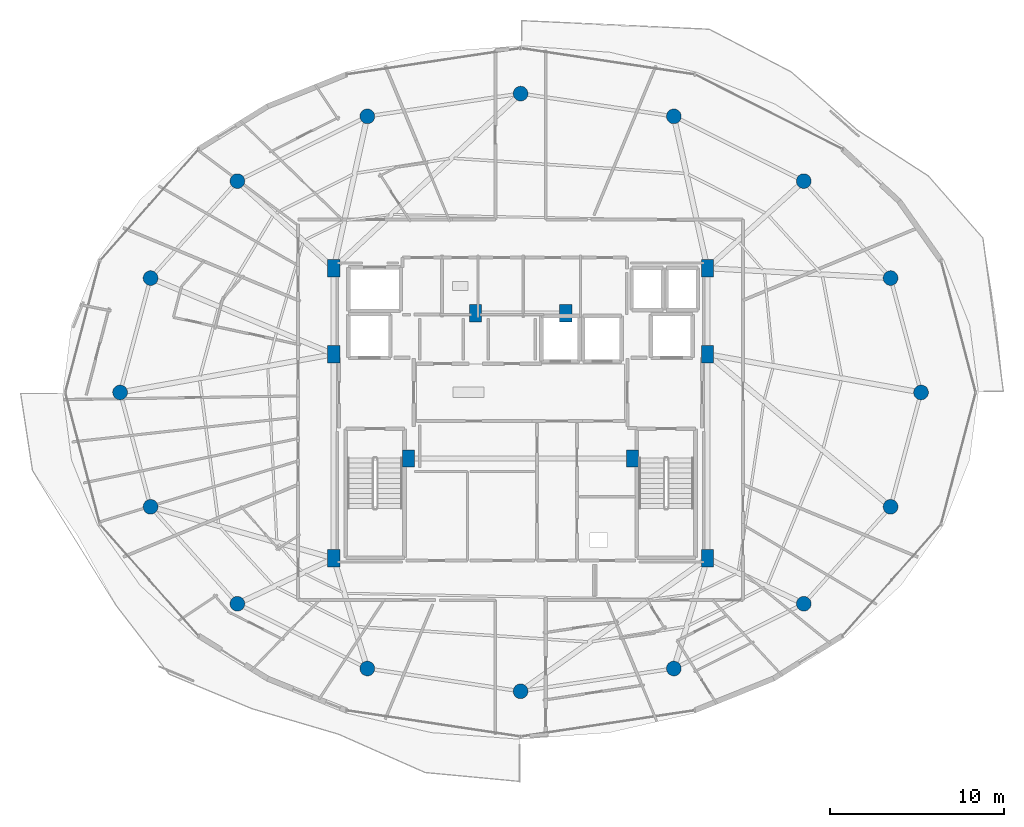
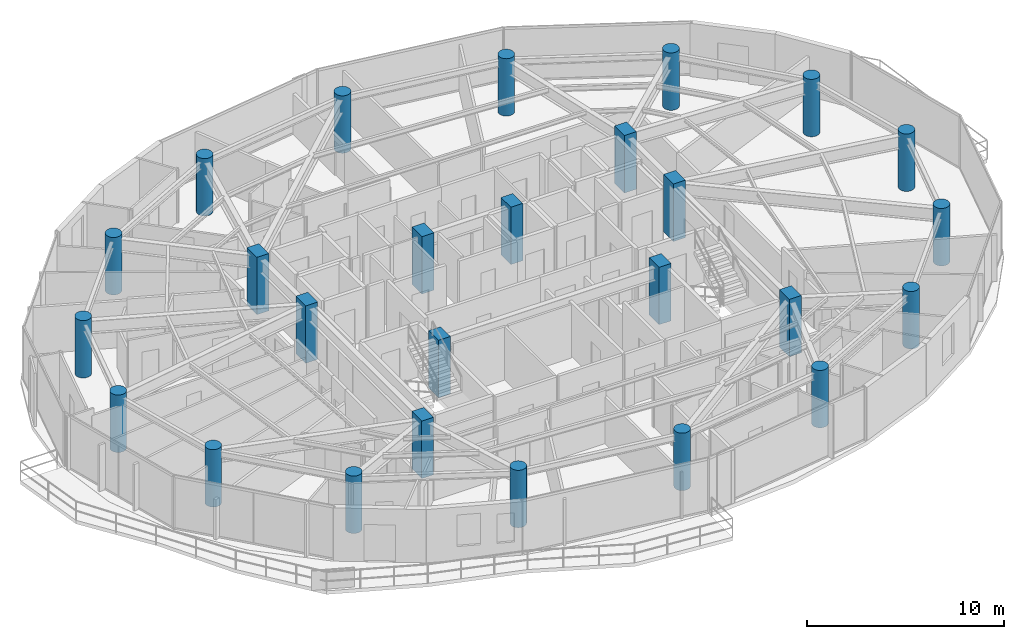
# One storey, part 1 of 31: 26 columns.
"""IFC4 building model written with IfcOpenShell, lengths in metres."""

from ifc_helpers import new_model, si_unit, direction, frame, origin, origin_2d, place, context, subcontext, project, spatial, rectangle, circle, extrude, material, material_profile, profile_set, type_object, element, save


model = new_model("IFC4")

# Units and contexts
model_context = context("Model", 3, precision=1e-05, world=origin(), true_north=direction((0.0, 1.0)))
body_context = subcontext(model_context, "Body", "Model", "MODEL_VIEW")
ifc_project = project(units=[si_unit("LENGTHUNIT", "METRE"), si_unit("AREAUNIT", "SQUARE_METRE"), si_unit("VOLUMEUNIT", "CUBIC_METRE"), si_unit("PLANEANGLEUNIT", "RADIAN"), si_unit("MASSUNIT", "GRAM", prefix="KILO")], contexts=[model_context])

# Site, building, storey
site_placement = place(None, origin())
site = spatial("IfcSite", under=ifc_project, at=site_placement, CompositionType="ELEMENT")
building_placement = place(site_placement, origin())
building = spatial("IfcBuilding", under=site, at=building_placement, Name="Vorneva Point Tower", CompositionType="ELEMENT")
storey_placement = place(building_placement, frame((0.0, 0.0, 248.449951171875)))
storey = spatial("IfcBuildingStorey", under=building, at=storey_placement, Name="L67", CompositionType="ELEMENT", Elevation=248.449951171875)

# Columns
ifc_material = material(Name="Concrete B50 (C40/50)", Category="concrete")
ifc_material_profile_1 = material_profile(ifc_material, circle(Radius=0.425048828125, at=origin_2d()), Name="RC-CIRC 850")
ifc_profile_set_1 = profile_set([ifc_material_profile_1], Name="Concrete B50 (C40/50)")
column_type_1 = type_object("IfcColumnType", Name="COL-RC850C", PredefinedType="COLUMN", material=ifc_profile_set_1)
for number, where, z_axis, x_axis, name in (
    (1, (61.050048828125, 26.0, 0.0), (0.0, 0.0, 1.0), (1.0, 0.0, 0.0), "L67 Perimeter Column P01"),
    (2, (59.29541015625, 32.582275390625, 0.0), (0.0, 0.0, 1.0), (0.923879532511, 0.382683432365, 0.0), "L67 Perimeter Column P02"),
    (3, (54.298828125, 38.162109375, 0.0), (0.0, 0.0, 1.0), (0.707106781187, 0.707106781187, 0.0), "L67 Perimeter Column P03"),
    (4, (46.82080078125, 41.890625, 0.0), (0.0, 0.0, 1.0), (0.382683432365, 0.923879532511, 0.0), "L67 Perimeter Column P04"),
    (5, (38.0, 43.199951171875, 0.0), (0.0, 0.0, 1.0), (0.0, 1.0, 0.0), "L67 Perimeter Column P05"),
    (6, (29.17919921875, 41.890625, 0.0), (0.0, 0.0, 1.0), (-0.382683432365, 0.923879532511, 0.0), "L67 Perimeter Column P06"),
    (7, (21.701171875, 38.162109375, 0.0), (0.0, 0.0, 1.0), (-0.707106781187, 0.707106781187, 0.0), "L67 Perimeter Column P07"),
    (8, (16.70458984375, 32.582275390625, 0.0), (0.0, 0.0, 1.0), (-0.923879532511, 0.382683432365, 0.0), "L67 Perimeter Column P08"),
    (9, (14.949951171875, 26.0, 0.0), (0.0, 0.0, 1.0), (-1.0, 0.0, 0.0), "L67 Perimeter Column P09"),
    (10, (16.70458984375, 19.417724609375, 0.0), (0.0, 0.0, 1.0), (-0.923879532511, -0.382683432365, 0.0), "L67 Perimeter Column P10"),
    (11, (21.701171875, 13.837890625, 0.0), (0.0, 0.0, 1.0), (-0.707106781187, -0.707106781187, 0.0), "L67 Perimeter Column P11"),
    (12, (29.17919921875, 10.109375, 0.0), (0.0, 0.0, 1.0), (-0.382683432365, -0.923879532511, 0.0), "L67 Perimeter Column P12"),
    (13, (38.0, 8.800048828125, 0.0), (0.0, 0.0, 1.0), (0.0, -1.0, 0.0), "L67 Perimeter Column P13"),
    (14, (46.82080078125, 10.109375, 0.0), (0.0, 0.0, 1.0), (0.382683432365, -0.923879532511, 0.0), "L67 Perimeter Column P14"),
    (15, (54.298828125, 13.837890625, 0.0), (0.0, 0.0, 1.0), (0.707106781187, -0.707106781187, 0.0), "L67 Perimeter Column P15"),
    (16, (59.29541015625, 19.417724609375, 0.0), (0.0, 0.0, 1.0), (0.923879532511, -0.382683432365, 0.0), "L67 Perimeter Column P16"),
):
    element("IfcColumn", number, at=place(storey_placement, frame(where, z_axis=z_axis, x_axis=x_axis)), inside=storey, type_object=column_type_1, Name=name, PredefinedType="COLUMN", context=body_context, shape_type="SweptSolid", body=[
        extrude(circle(Radius=0.425048828125, at=origin_2d()), origin(), (0.0, 0.0, 1.0), 3.550048828125),
    ])
ifc_material_profile_2 = material_profile(ifc_material, rectangle(XDim=0.699951171875, YDim=1.0, at=origin_2d()), Name="RC-PIL 1000x700")
ifc_profile_set_2 = profile_set([ifc_material_profile_2], Name="Concrete B50 (C40/50)")
column_type_2 = type_object("IfcColumnType", Name="PIL-RC1000x700", PredefinedType="PILASTER", material=ifc_profile_set_2)
for number, where, z_axis, x_axis, name in (
    (17, (27.25, 16.449951171875, 0.0), (0.0, 0.0, 1.0), (1.0, 0.0, 0.0), "L67 Core Pilaster CP1"),
    (18, (27.25, 28.199951171875, 0.0), (0.0, 0.0, 1.0), (1.0, 0.0, 0.0), "L67 Core Pilaster CP2"),
    (19, (27.25, 33.14990234375, 0.0), (0.0, 0.0, 1.0), (1.0, 0.0, 0.0), "L67 Core Pilaster CP3"),
    (20, (31.550048828125, 22.199951171875, 0.0), (0.0, 0.0, 1.0), (1.0, 0.0, 0.0), "L67 Core Pilaster CP4"),
    (21, (48.75, 33.14990234375, 0.0), (0.0, 0.0, 1.0), (1.0, 0.0, 0.0), "L67 Core Pilaster CP5"),
    (22, (48.75, 28.199951171875, 0.0), (0.0, 0.0, 1.0), (1.0, 0.0, 0.0), "L67 Core Pilaster CP6"),
    (23, (48.75, 16.449951171875, 0.0), (0.0, 0.0, 1.0), (1.0, 0.0, 0.0), "L67 Core Pilaster CP7"),
    (24, (44.449951171875, 22.199951171875, 0.0), (0.0, 0.0, 1.0), (1.0, 0.0, 0.0), "L67 Core Pilaster CP8"),
    (25, (35.39990234375, 30.550048828125, 0.0), (0.0, 0.0, 1.0), (1.0, 0.0, 0.0), "L67 Core Pilaster CP9"),
    (26, (40.60009765625, 30.550048828125, 0.0), (0.0, 0.0, 1.0), (1.0, 0.0, 0.0), "L67 Core Pilaster CP10"),
):
    element("IfcColumn", number, at=place(storey_placement, frame(where, z_axis=z_axis, x_axis=x_axis)), inside=storey, type_object=column_type_2, Name=name, PredefinedType="PILASTER", context=body_context, shape_type="SweptSolid", body=[
        extrude(rectangle(XDim=0.699951171875, YDim=1.0, at=origin_2d()), origin(), (0.0, 0.0, 1.0), 3.550048828125),
    ])

save(model, "model.ifc")
